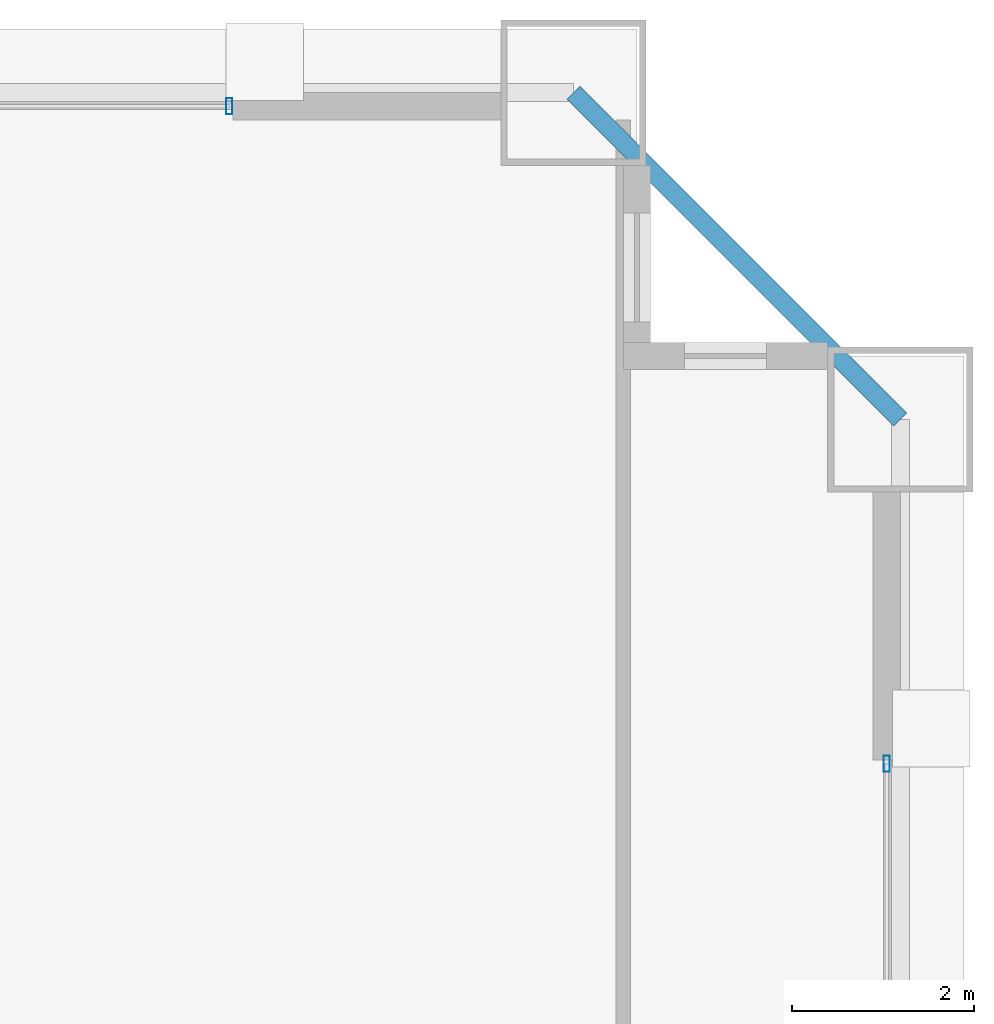
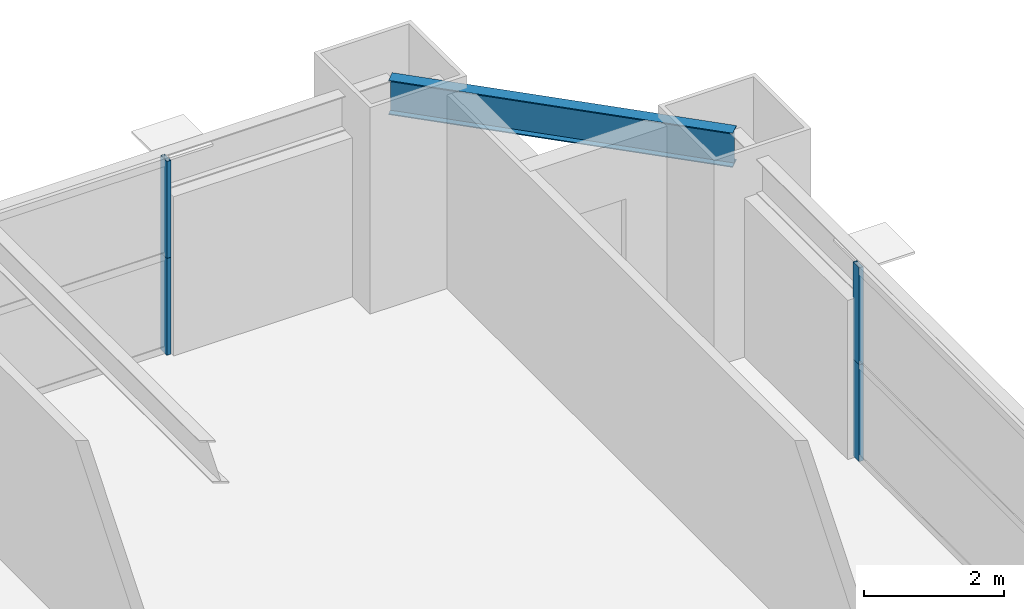
# One storey, part 32 of 38: 4 members, 1 beam, 2 elements without a shape of their own.
"""IFC4 building model written with IfcOpenShell, lengths in metres."""

from ifc_helpers import new_model, si_unit, direction, frame, origin, origin_2d, place, context, subcontext, project, spatial, hollow_rectangle, i_section, extrude, source, transform, mapped, material, layer, layer_set, material_profile, profile_set, type_object, element, aggregate, save


model = new_model("IFC4")

# Units and contexts
model_context = context("Model", 3, precision=1e-05, world=origin(), true_north=direction((0.0, 1.0)))
body_context = subcontext(model_context, "Body", "Model", "MODEL_VIEW")
ifc_project = project(units=[si_unit("LENGTHUNIT", "METRE"), si_unit("AREAUNIT", "SQUARE_METRE"), si_unit("VOLUMEUNIT", "CUBIC_METRE"), si_unit("PLANEANGLEUNIT", "RADIAN"), si_unit("MASSUNIT", "GRAM", prefix="KILO"), si_unit("THERMODYNAMICTEMPERATUREUNIT", "KELVIN"), si_unit("POWERUNIT", "WATT")], contexts=[model_context])

# Site, building, storey
site_placement = place(None, origin())
site = spatial("IfcSite", under=ifc_project, at=site_placement, CompositionType="ELEMENT")
building_placement = place(site_placement, origin())
building = spatial("IfcBuilding", under=site, at=building_placement, Name="Yuzanri Waterfront Tower", CompositionType="ELEMENT")
storey_placement = place(building_placement, frame((0.0, 0.0, 111.800048828125)))
storey = spatial("IfcBuildingStorey", under=building, at=storey_placement, Name="L29", CompositionType="ELEMENT", Elevation=111.800048828125)

# Beam
ifc_material_1 = material(Name="Steel Q355B", Category="steel")
ifc_material_profile_1 = material_profile(ifc_material_1, i_section(OverallWidth=0.199951171875, OverallDepth=0.60009765625, WebThickness=0.010986328125, FlangeThickness=0.01708984375, at=origin_2d()), Name="HN 600x200x11x17")
ifc_profile_set_1 = profile_set([ifc_material_profile_1], Name="Steel Q355B")
beam_type = type_object("IfcBeamType", Name="Perimeter Spandrel Q355B HN 600x200", PredefinedType="SPANDREL", material=ifc_profile_set_1)
shared_shape_1 = source(origin(), body_context, "Body", "SweptSolid", [
    extrude(i_section(OverallWidth=0.199951171875, OverallDepth=0.60009765625, WebThickness=0.010986328125, FlangeThickness=0.01708984375, at=origin_2d()), origin(), (0.0, 0.0, 1.0), 5.091064453125),
])
beam_placement = place(storey_placement, frame((60.60009765625, 45.800048828125, 3.079833984375), z_axis=(-0.707130757816, 0.707082803744, 0.0), x_axis=(-0.707082803744, -0.707130757816, 0.0)))
element("IfcBeam", 1, at=beam_placement, inside=storey, type_object=beam_type, Name="L29 Perimeter Spandrel E3-N3", PredefinedType="SPANDREL", context=body_context, shape_type="MappedRepresentation", body=[
    mapped(shared_shape_1, transform((0.0, 0.0, 0.0), scale=1.0)),
])

# Curtain wall, members
ifc_material_2 = material(Name="Anodized Architectural Bronze", Category="metal")
ifc_layer = layer(ifc_material_2, 0.159912109375)
ifc_layer_set = layer_set([ifc_layer], Name="Anodized Architectural Bronze")
curtain_wall_type = type_object("IfcCurtainWallType", Name="Anodized Bronze Hotel Upper-Tier Solar-Control Unitized Curtain Wall 7800", PredefinedType="NOTDEFINED", material=ifc_layer_set)
curtain_wall_1_placement = place(storey_placement, origin())
curtain_wall_1 = element("IfcCurtainWall", 2, at=curtain_wall_1_placement, inside=storey, type_object=curtain_wall_type, Name="L29 Curtain Wall CW-L29-NR", PredefinedType="NOTDEFINED")
ifc_material_3 = material(Name="Anodized Architectural Bronze", Category="metal")
ifc_material_profile_2 = material_profile(ifc_material_3, hollow_rectangle(XDim=0.070068359375, YDim=0.179931640625, WallThickness=0.00390625, at=origin_2d()), Name="CWM 70x180")
ifc_profile_set_2 = profile_set([ifc_material_profile_2], Name="Anodized Architectural Bronze")
member_type = type_object("IfcMemberType", Name="Anodized Bronze Standard Curtain-Wall Mullion 70x180", PredefinedType="MULLION", material=ifc_profile_set_2)
shared_shape_2 = source(origin(), body_context, "Body", "SweptSolid", [
    extrude(hollow_rectangle(XDim=0.070068359375, YDim=0.179931640625, WallThickness=0.00390625, at=origin_2d()), origin(), (0.0, 0.0, 1.0), 1.68798828125),
])
member_1_placement = place(storey_placement, frame((53.2099609375, 49.25, 0.0), z_axis=(0.0, 0.0, 1.0), x_axis=(1.0, 0.0, 0.0)))
member_1 = element("IfcMember", 3, at=member_1_placement, type_object=member_type, Name="CW-L29-NR Lower Mullion 02", PredefinedType="MULLION", context=body_context, shape_type="MappedRepresentation", body=[
    mapped(shared_shape_2, transform((0.0, 0.0, 0.0), scale=1.0)),
])
member_2_placement = place(storey_placement, frame((53.2099609375, 49.25, 1.69189453125), z_axis=(0.0, 0.0, 1.0), x_axis=(1.0, 0.0, 0.0)))
member_2 = element("IfcMember", 4, at=member_2_placement, type_object=member_type, Name="CW-L29-NR Upper Mullion 02", PredefinedType="MULLION", context=body_context, shape_type="MappedRepresentation", body=[
    mapped(shared_shape_2, transform((0.0, 0.0, 0.0), scale=1.0)),
])
aggregate(curtain_wall_1, [member_1, member_2])

curtain_wall_2_placement = place(storey_placement, origin())
curtain_wall_2 = element("IfcCurtainWall", 5, at=curtain_wall_2_placement, inside=storey, type_object=curtain_wall_type, Name="L29 Curtain Wall CW-L29-ER", PredefinedType="NOTDEFINED")
member_3_placement = place(storey_placement, frame((60.449951171875, 42.010009765625, 0.0), z_axis=(0.0, 0.0, 1.0), x_axis=(1.0, 0.0, 0.0)))
member_3 = element("IfcMember", 6, at=member_3_placement, type_object=member_type, Name="CW-L29-ER Lower Mullion 02", PredefinedType="MULLION", context=body_context, shape_type="MappedRepresentation", body=[
    mapped(shared_shape_2, transform((0.0, 0.0, 0.0), scale=1.0)),
])
member_4_placement = place(storey_placement, frame((60.449951171875, 42.010009765625, 1.69189453125), z_axis=(0.0, 0.0, 1.0), x_axis=(1.0, 0.0, 0.0)))
member_4 = element("IfcMember", 7, at=member_4_placement, type_object=member_type, Name="CW-L29-ER Upper Mullion 02", PredefinedType="MULLION", context=body_context, shape_type="MappedRepresentation", body=[
    mapped(shared_shape_2, transform((0.0, 0.0, 0.0), scale=1.0)),
])
aggregate(curtain_wall_2, [member_3, member_4])

save(model, "model.ifc")
